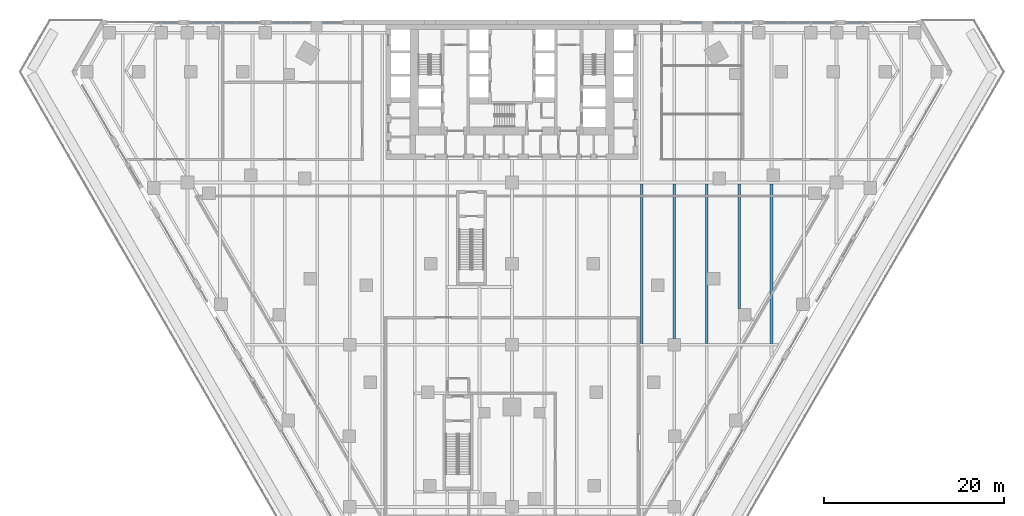
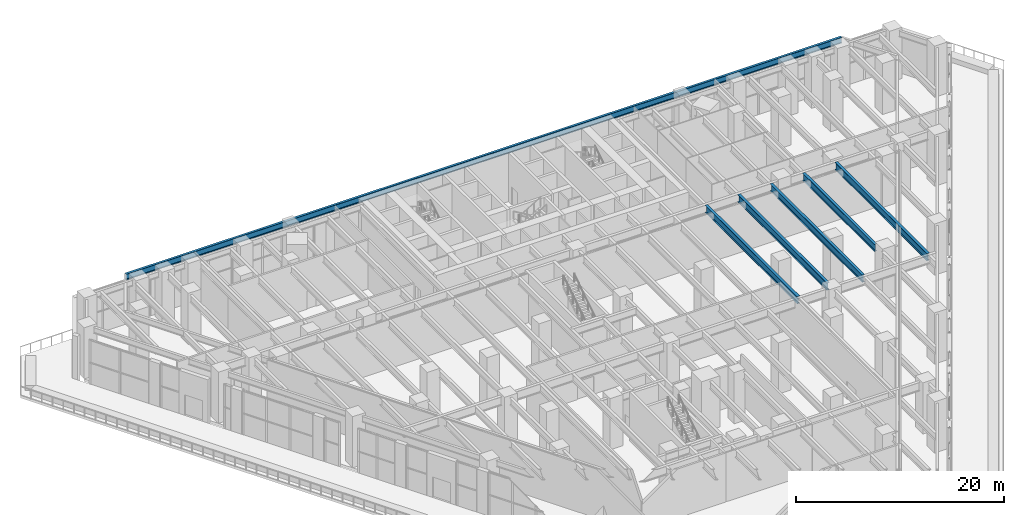
# One storey, part 15 of 40: 6 beams.
"""IFC4 building model written with IfcOpenShell, lengths in metres."""

from ifc_helpers import new_model, si_unit, direction, frame, origin, origin_2d, place, context, subcontext, project, spatial, i_section, extrude, material, material_profile, profile_set, type_object, element, save


model = new_model("IFC4")

# Units and contexts
model_context = context("Model", 3, precision=1e-05, world=origin(), true_north=direction((0.0, 1.0)))
body_context = subcontext(model_context, "Body", "Model", "MODEL_VIEW")
ifc_project = project(units=[si_unit("LENGTHUNIT", "METRE"), si_unit("AREAUNIT", "SQUARE_METRE"), si_unit("VOLUMEUNIT", "CUBIC_METRE"), si_unit("PLANEANGLEUNIT", "RADIAN"), si_unit("MASSUNIT", "GRAM", prefix="KILO")], contexts=[model_context])

# Site, building, storey
site_placement = place(None, origin())
site = spatial("IfcSite", under=ifc_project, at=site_placement, CompositionType="ELEMENT")
building_placement = place(site_placement, origin())
building = spatial("IfcBuilding", under=site, at=building_placement, Name="Aloe Facet Convention Tower", CompositionType="ELEMENT")
storey_placement = place(building_placement, frame((0.0, 0.0, 13.5)))
storey = spatial("IfcBuildingStorey", under=building, at=storey_placement, Name="L02", CompositionType="ELEMENT", Elevation=13.5)

# Beams
ifc_material_1 = material(Name="Steel S355", Category="steel")
ifc_material_profile_1 = material_profile(ifc_material_1, i_section(OverallWidth=0.25439453125, OverallDepth=0.6875, WebThickness=0.01318359375, FlangeThickness=0.02099609375, FilletRadius=0.01513671875, at=origin_2d()), Name="UB 686x254x152")
ifc_profile_set_1 = profile_set([ifc_material_profile_1], Name="Steel S355")
beam_type_1 = type_object("IfcBeamType", Name="EV-EB-UB686x254x152", PredefinedType="BEAM", material=ifc_profile_set_1)
beam_1_placement = place(storey_placement, frame((119.720458984375, 134.77490234375, 5.40625), z_axis=(-1.0, 0.0, 0.0), x_axis=(0.0, -1.0, 0.0)))
element("IfcBeam", 1, at=beam_1_placement, inside=storey, type_object=beam_type_1, Name="EB-L03-N", PredefinedType="BEAM", context=body_context, shape_type="SweptSolid", body=[
    extrude(i_section(OverallWidth=0.25439453125, OverallDepth=0.6875, WebThickness=0.01318359375, FlangeThickness=0.02099609375, FilletRadius=0.01513671875, at=origin_2d()), origin(), (0.0, 0.0, 1.0), 79.44091796875),
])
ifc_material_2 = material(Name="Steel S355", Category="steel")
ifc_material_profile_2 = material_profile(ifc_material_2, i_section(OverallWidth=0.293701171875, OverallDepth=0.850830078125, WebThickness=0.01611328125, FlangeThickness=0.02685546875, FilletRadius=0.017822265625, at=origin_2d()), Name="UB 838x292x226")
ifc_profile_set_2 = profile_set([ifc_material_profile_2], Name="Steel S355")
beam_type_2 = type_object("IfcBeamType", Name="SF-B-UB838x292x226", PredefinedType="BEAM", material=ifc_profile_set_2)
beam_2_placement = place(storey_placement, frame((94.39990234375, 99.152587890625, 5.324462890625), z_axis=(0.0, 1.0, 0.0), x_axis=(-1.0, 0.0, 0.0)))
element("IfcBeam", 2, at=beam_2_placement, inside=storey, type_object=beam_type_2, Name="Floor beam FB-L03-111", PredefinedType="BEAM", context=body_context, shape_type="SweptSolid", body=[
    extrude(i_section(OverallWidth=0.293701171875, OverallDepth=0.850830078125, WebThickness=0.01611328125, FlangeThickness=0.02685546875, FilletRadius=0.017822265625, at=origin_2d()), origin(), (0.0, 0.0, 1.0), 17.69482421875),
])
beam_3_placement = place(storey_placement, frame((98.0, 99.699951171875, 5.324462890625), z_axis=(0.0, 1.0, 0.0), x_axis=(-1.0, 0.0, 0.0)))
element("IfcBeam", 3, at=beam_3_placement, inside=storey, type_object=beam_type_2, Name="Floor beam FB-L03-116", PredefinedType="BEAM", context=body_context, shape_type="SweptSolid", body=[
    extrude(i_section(OverallWidth=0.293701171875, OverallDepth=0.850830078125, WebThickness=0.01611328125, FlangeThickness=0.02685546875, FilletRadius=0.017822265625, at=origin_2d()), origin(), (0.0, 0.0, 1.0), 17.1474609375),
])
beam_4_placement = place(storey_placement, frame((101.60009765625, 99.152587890625, 5.324462890625), z_axis=(0.0, 1.0, 0.0), x_axis=(-1.0, 0.0, 0.0)))
element("IfcBeam", 4, at=beam_4_placement, inside=storey, type_object=beam_type_2, Name="Floor beam FB-L03-119", PredefinedType="BEAM", context=body_context, shape_type="SweptSolid", body=[
    extrude(i_section(OverallWidth=0.293701171875, OverallDepth=0.850830078125, WebThickness=0.01611328125, FlangeThickness=0.02685546875, FilletRadius=0.017822265625, at=origin_2d()), origin(), (0.0, 0.0, 1.0), 17.69482421875),
])
beam_5_placement = place(storey_placement, frame((105.199951171875, 103.02490234375, 5.324462890625), z_axis=(0.0, 1.0, 0.0), x_axis=(-1.0, 0.0, 0.0)))
element("IfcBeam", 5, at=beam_5_placement, inside=storey, type_object=beam_type_2, Name="Floor beam FB-L03-123", PredefinedType="BEAM", context=body_context, shape_type="SweptSolid", body=[
    extrude(i_section(OverallWidth=0.293701171875, OverallDepth=0.850830078125, WebThickness=0.01611328125, FlangeThickness=0.02685546875, FilletRadius=0.017822265625, at=origin_2d()), origin(), (0.0, 0.0, 1.0), 13.822509765625),
])
beam_6_placement = place(storey_placement, frame((108.800048828125, 99.152587890625, 5.324462890625), z_axis=(0.0, 1.0, 0.0), x_axis=(-1.0, 0.0, 0.0)))
element("IfcBeam", 6, at=beam_6_placement, inside=storey, type_object=beam_type_2, Name="Floor beam FB-L03-127", PredefinedType="BEAM", context=body_context, shape_type="SweptSolid", body=[
    extrude(i_section(OverallWidth=0.293701171875, OverallDepth=0.850830078125, WebThickness=0.01611328125, FlangeThickness=0.02685546875, FilletRadius=0.017822265625, at=origin_2d()), origin(), (0.0, 0.0, 1.0), 17.69482421875),
])

save(model, "model.ifc")
